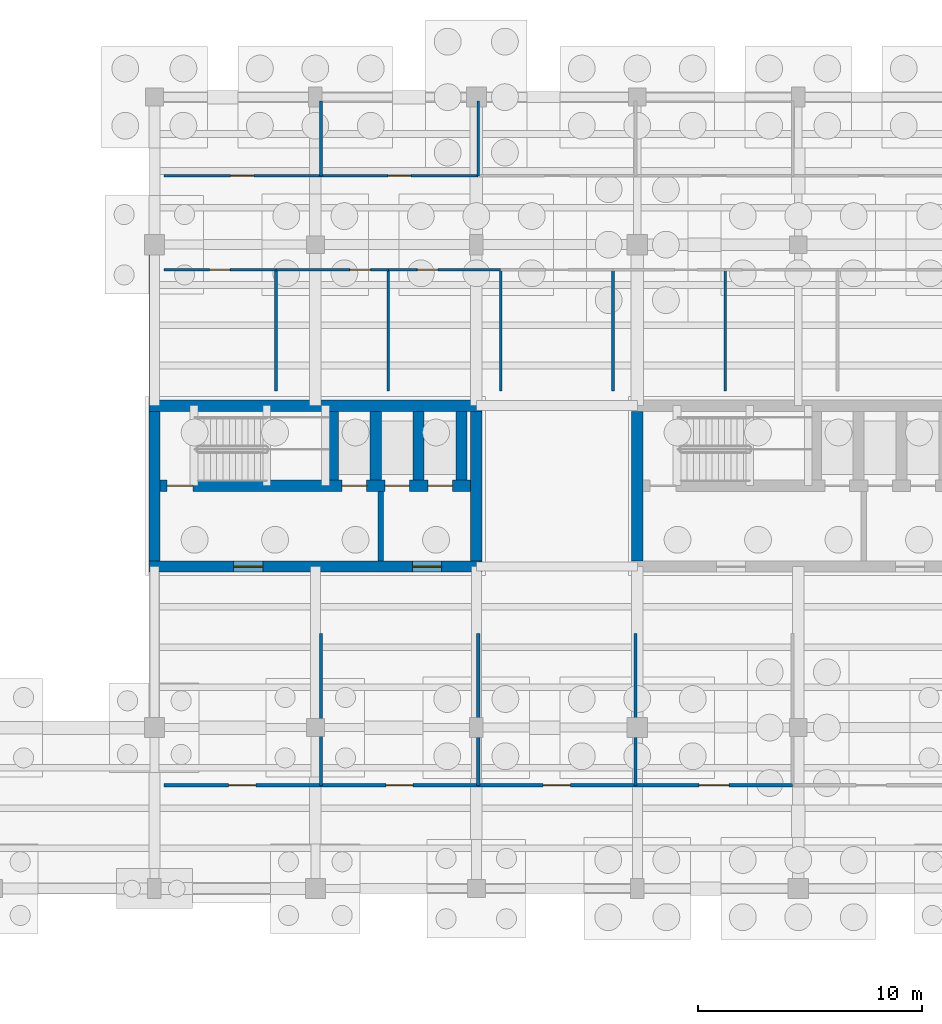
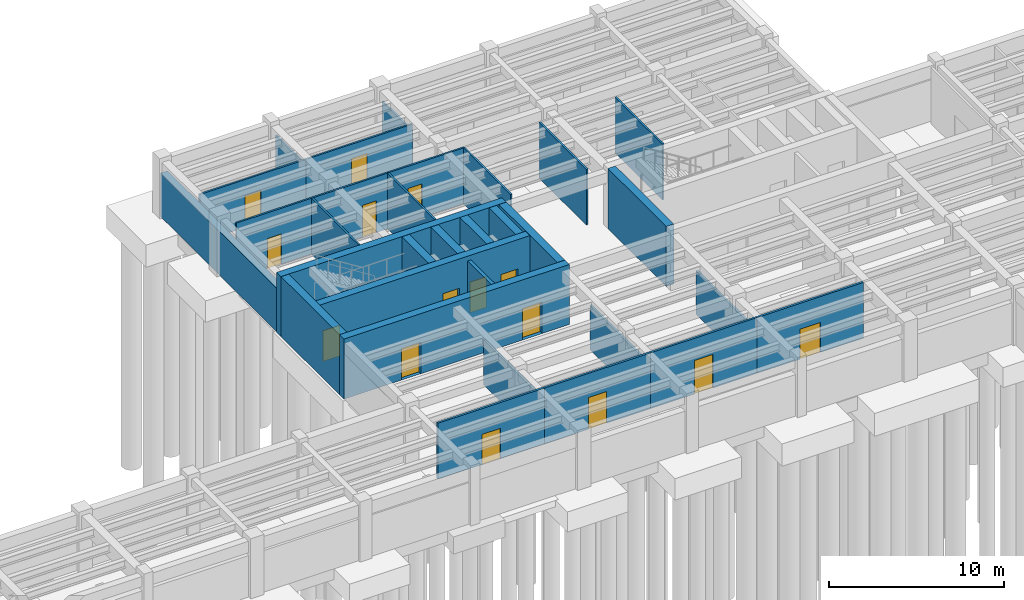
# One storey, part 13 of 22: 31 walls, 15 doors, 15 openings.
"""IFC4 building model written with IfcOpenShell, lengths in metres."""

from ifc_helpers import new_model, si_unit, direction, frame, frame_2d, origin, place, context, subcontext, project, spatial, rectangle, extrude, material, layer, layer_set, type_object, element, fill, save


model = new_model("IFC4")

# Units and contexts
model_context = context("Model", 3, precision=1e-05, world=origin(), true_north=direction((0.0, 1.0)))
body_context = subcontext(model_context, "Body", "Model", "MODEL_VIEW")
ifc_project = project(units=[si_unit("LENGTHUNIT", "METRE"), si_unit("AREAUNIT", "SQUARE_METRE"), si_unit("VOLUMEUNIT", "CUBIC_METRE"), si_unit("PLANEANGLEUNIT", "RADIAN"), si_unit("MASSUNIT", "GRAM", prefix="KILO")], contexts=[model_context])

# Site, building, storey
site_placement = place(None, origin())
site = spatial("IfcSite", under=ifc_project, at=site_placement, CompositionType="ELEMENT")
building_placement = place(site_placement, origin())
building = spatial("IfcBuilding", under=site, at=building_placement, Name="Mithqara Police Headquarters", CompositionType="ELEMENT")
storey_placement = place(building_placement, frame((0.0, 0.0, -8.39990234375)))
storey = spatial("IfcBuildingStorey", under=building, at=storey_placement, Name="B2", CompositionType="ELEMENT", Elevation=-8.39990234375)

# Wall
ifc_material_1 = material(Name="Concrete C40/50", Category="concrete")
ifc_layer_1 = layer(ifc_material_1, 0.239990234375, Name="Concrete C40/50")
ifc_layer_set_1 = layer_set([ifc_layer_1], Name="Concrete C40/50")
wall_type_1 = type_object("IfcWallType", Name="CORE LOBBY WALL 240", PredefinedType="SOLIDWALL", material=ifc_layer_set_1)
wall_1_placement = place(storey_placement, frame((118.72998046875, 93.25, 0.0), z_axis=(0.0, 0.0, 1.0), x_axis=(0.0, 1.0, 0.0)))
element("IfcWall", 1, at=wall_1_placement, inside=storey, type_object=wall_type_1, Name="Core C1 Command West Firefighting Lobby Separation Wall B2", PredefinedType="SOLIDWALL", context=body_context, shape_type="SweptSolid", body=[
    extrude(rectangle(XDim=3.1201171875, YDim=0.239990234375, at=frame_2d((1.56005859375, 0.0))), origin(), (0.0, 0.0, 1.0), 3.869873046875),
])

# Wall, opening, door
ifc_material_2 = material(Name="Gypsum acoustic stud partition", Category="gypsum")
ifc_layer_2 = layer(ifc_material_2, 0.1201171875, Name="Gypsum acoustic stud partition")
ifc_layer_set_2 = layer_set([ifc_layer_2], Name="Gypsum acoustic stud partition")
wall_type_2 = type_object("IfcWallType", Name="PART WALL 120", PredefinedType="PARTITIONING", material=ifc_layer_set_2)
wall_2_placement = place(storey_placement, frame((109.02001953125, 106.280029296875, 0.0), z_axis=(0.0, 0.0, 1.0), x_axis=(1.0, 0.0, 0.0)))
wall_2 = element("IfcWall", 2, at=wall_2_placement, inside=storey, type_object=wall_type_2, Name="B2 Corridor Wall Chiller Plant Room", PredefinedType="PARTITIONING", context=body_context, shape_type="SweptSolid", body=[
    extrude(rectangle(XDim=5.02294921875, YDim=0.1201171875, at=frame_2d((2.511474609375, 0.0))), origin(), (0.0, 0.0, 1.0), 3.89990234375),
])
opening_1_placement = place(wall_2_placement, frame((2.051513671875, 0.0, 0.0)))
opening_1 = element("IfcOpeningElement", 3, at=opening_1_placement, cuts=wall_2, Name="Opening D-01", PredefinedType="OPENING", context=body_context, shape_type="SweptSolid", body=[
    extrude(rectangle(XDim=0.919921875, YDim=2.10009765625, at=frame_2d((0.4599609375, 1.050048828125))), frame((0.0, 0.070068359375, 0.0), z_axis=(0.0, -1.0, 0.0), x_axis=(1.0, 0.0, 0.0)), (0.0, 0.0, 1.0), 0.14013671875),
])
ifc_material_3 = material(Name="Acoustic solid-core timber leaf", Category="wood")
door_type_1 = type_object("IfcDoorType", Name="INT DOOR 920X2100", OperationType="NOTDEFINED", PredefinedType="DOOR", material=ifc_material_3)
door_1_placement = place(opening_1_placement, frame((0.919921875, 0.0, 0.0), z_axis=(0.0, 0.0, 1.0), x_axis=(-1.0, 0.0, 0.0)))
door_1 = element("IfcDoor", 4, at=door_1_placement, inside=storey, type_object=door_type_1, Name="Chiller Plant Room Entry Door", OperationType="SINGLE_SWING_RIGHT", OverallHeight=2.10009765625, OverallWidth=0.919921875, PredefinedType="DOOR", context=body_context, shape_type="SweptSolid", body=[
    extrude(rectangle(XDim=0.919921875, YDim=2.10009765625, at=frame_2d((0.4599609375, 1.050048828125))), frame((0.0, 0.02490234375, 0.0), z_axis=(0.0, -1.0, 0.0), x_axis=(1.0, 0.0, 0.0)), (0.0, 0.0, 1.0), 0.050048828125),
])
fill(opening_1, door_1)

# Wall
wall_3_placement = place(storey_placement, frame((114.04296875, 100.85009765625, 0.0), z_axis=(0.0, 0.0, 1.0), x_axis=(0.0, 1.0, 0.0)))
element("IfcWall", 5, at=wall_3_placement, inside=storey, type_object=wall_type_2, Name="B2 Room Partition Chiller Plant Room", PredefinedType="PARTITIONING", context=body_context, shape_type="SweptSolid", body=[
    extrude(rectangle(XDim=5.429931640625, YDim=0.1201171875, at=frame_2d((2.71484375, 0.0))), origin(), (0.0, 0.0, 1.0), 3.89990234375),
])

# Wall, opening, door
wall_4_placement = place(storey_placement, frame((114.04296875, 106.280029296875, 0.0), z_axis=(0.0, 0.0, 1.0), x_axis=(1.0, 0.0, 0.0)))
wall_4 = element("IfcWall", 6, at=wall_4_placement, inside=storey, type_object=wall_type_2, Name="B2 Corridor Wall Cooling Pump Hall", PredefinedType="PARTITIONING", context=body_context, shape_type="SweptSolid", body=[
    extrude(rectangle(XDim=5.02294921875, YDim=0.1201171875, at=frame_2d((2.511474609375, 0.0))), origin(), (0.0, 0.0, 1.0), 3.89990234375),
])
opening_2_placement = place(wall_4_placement, frame((3.30712890625, 0.0, 0.0)))
opening_2 = element("IfcOpeningElement", 7, at=opening_2_placement, cuts=wall_4, Name="Opening D-02", PredefinedType="OPENING", context=body_context, shape_type="SweptSolid", body=[
    extrude(rectangle(XDim=0.919921875, YDim=2.219970703125, at=frame_2d((0.4599609375, 1.10986328125))), frame((0.0, 0.070068359375, 0.0), z_axis=(0.0, -1.0, 0.0), x_axis=(1.0, 0.0, 0.0)), (0.0, 0.0, 1.0), 0.14013671875),
])
door_type_2 = type_object("IfcDoorType", Name="INT DOOR 920X2220", OperationType="NOTDEFINED", PredefinedType="DOOR", material=ifc_material_3)
door_2_placement = place(opening_2_placement, frame((0.919921875, 0.0, 0.0), z_axis=(0.0, 0.0, 1.0), x_axis=(-1.0, 0.0, 0.0)))
door_2 = element("IfcDoor", 8, at=door_2_placement, inside=storey, type_object=door_type_2, Name="Cooling Pump Hall Entry Door", OperationType="SINGLE_SWING_LEFT", OverallHeight=2.219970703125, OverallWidth=0.919921875, PredefinedType="DOOR", context=body_context, shape_type="SweptSolid", body=[
    extrude(rectangle(XDim=0.919921875, YDim=2.219970703125, at=frame_2d((0.4599609375, 1.10986328125))), frame((0.0, 0.02490234375, 0.0), z_axis=(0.0, -1.0, 0.0), x_axis=(1.0, 0.0, 0.0)), (0.0, 0.0, 1.0), 0.050048828125),
])
fill(opening_2, door_2)

# Wall
wall_5_placement = place(storey_placement, frame((119.06591796875, 100.85009765625, 0.0), z_axis=(0.0, 0.0, 1.0), x_axis=(0.0, 1.0, 0.0)))
element("IfcWall", 9, at=wall_5_placement, inside=storey, type_object=wall_type_2, Name="B2 Room Partition Cooling Pump Hall", PredefinedType="PARTITIONING", context=body_context, shape_type="SweptSolid", body=[
    extrude(rectangle(XDim=5.429931640625, YDim=0.1201171875, at=frame_2d((2.71484375, 0.0))), origin(), (0.0, 0.0, 1.0), 3.89990234375),
])

# Wall, opening, door
wall_6_placement = place(storey_placement, frame((119.06591796875, 106.280029296875, 0.0), z_axis=(0.0, 0.0, 1.0), x_axis=(1.0, 0.0, 0.0)))
wall_6 = element("IfcWall", 10, at=wall_6_placement, inside=storey, type_object=wall_type_2, Name="B2 Corridor Wall Main LV Switchgear Room", PredefinedType="PARTITIONING", context=body_context, shape_type="SweptSolid", body=[
    extrude(rectangle(XDim=5.023193359375, YDim=0.1201171875, at=frame_2d((2.51171875, 0.0))), origin(), (0.0, 0.0, 1.0), 3.89990234375),
])
opening_3_placement = place(wall_6_placement, frame((1.298095703125, 0.0, 0.0)))
opening_3 = element("IfcOpeningElement", 11, at=opening_3_placement, cuts=wall_6, Name="Opening D-03", PredefinedType="OPENING", context=body_context, shape_type="SweptSolid", body=[
    extrude(rectangle(XDim=0.919921875, YDim=2.35009765625, at=frame_2d((0.4599609375, 1.175048828125))), frame((0.0, 0.070068359375, 0.0), z_axis=(0.0, -1.0, 0.0), x_axis=(1.0, 0.0, 0.0)), (0.0, 0.0, 1.0), 0.14013671875),
])
door_type_3 = type_object("IfcDoorType", Name="INT DOOR 920X2350", OperationType="NOTDEFINED", PredefinedType="DOOR", material=ifc_material_3)
door_3_placement = place(opening_3_placement, frame((0.919921875, 0.0, 0.0), z_axis=(0.0, 0.0, 1.0), x_axis=(-1.0, 0.0, 0.0)))
door_3 = element("IfcDoor", 12, at=door_3_placement, inside=storey, type_object=door_type_3, Name="Main LV Switchgear Room Entry Door", OperationType="SINGLE_SWING_RIGHT", OverallHeight=2.35009765625, OverallWidth=0.919921875, PredefinedType="DOOR", context=body_context, shape_type="SweptSolid", body=[
    extrude(rectangle(XDim=0.919921875, YDim=2.35009765625, at=frame_2d((0.4599609375, 1.175048828125))), frame((0.0, 0.02490234375, 0.0), z_axis=(0.0, -1.0, 0.0), x_axis=(1.0, 0.0, 0.0)), (0.0, 0.0, 1.0), 0.050048828125),
])
fill(opening_3, door_3)

# Walls
for number, where, z_axis, x_axis, name in (
    (13, (124.089111328125, 100.85009765625, 0.0), (0.0, 0.0, 1.0), (0.0, 1.0, 0.0), "B2 Room Partition Main LV Switchgear Room"),
    (14, (129.111083984375, 100.85009765625, 0.0), (0.0, 0.0, 1.0), (0.0, 1.0, 0.0), "B2 Room Partition Standby UPS Battery Room"),
    (15, (134.134033203125, 100.85009765625, 0.0), (0.0, 0.0, 1.0), (0.0, 1.0, 0.0), "B2 Room Partition Chiller Plant Room"),
):
    element("IfcWall", number, at=place(storey_placement, frame(where, z_axis=z_axis, x_axis=x_axis)), inside=storey, type_object=wall_type_2, Name=name, PredefinedType="PARTITIONING", context=body_context, shape_type="SweptSolid", body=[
        extrude(rectangle(XDim=5.429931640625, YDim=0.1201171875, at=frame_2d((2.71484375, 0.0))), origin(), (0.0, 0.0, 1.0), 3.89990234375),
    ])

# Wall, opening, door
wall_7_placement = place(storey_placement, frame((109.02001953125, 110.47998046875, 0.0), z_axis=(0.0, 0.0, 1.0), x_axis=(1.0, 0.0, 0.0)))
wall_7 = element("IfcWall", 16, at=wall_7_placement, inside=storey, type_object=wall_type_2, Name="B2 Corridor Wall Standby UPS Battery Room", PredefinedType="PARTITIONING", context=body_context, shape_type="SweptSolid", body=[
    extrude(rectangle(XDim=7.031982421875, YDim=0.1201171875, at=frame_2d((3.51611328125, 0.0))), origin(), (0.0, 0.0, 1.0), 3.349853515625),
])
opening_4_placement = place(wall_7_placement, frame((2.99609375, 0.0, 0.0)))
opening_4 = element("IfcOpeningElement", 17, at=opening_4_placement, cuts=wall_7, Name="Opening D-08", PredefinedType="OPENING", context=body_context, shape_type="SweptSolid", body=[
    extrude(rectangle(XDim=1.0400390625, YDim=2.219970703125, at=frame_2d((0.52001953125, 1.10986328125))), frame((0.0, 0.070068359375, 0.0), z_axis=(0.0, -1.0, 0.0), x_axis=(1.0, 0.0, 0.0)), (0.0, 0.0, 1.0), 0.14013671875),
])
door_type_4 = type_object("IfcDoorType", Name="INT DOOR 1040X2220", OperationType="NOTDEFINED", PredefinedType="DOOR", material=ifc_material_3)
door_4_placement = place(opening_4_placement, origin())
door_4 = element("IfcDoor", 18, at=door_4_placement, inside=storey, type_object=door_type_4, Name="Standby UPS Battery Room Entry Door", OperationType="SINGLE_SWING_LEFT", OverallHeight=2.219970703125, OverallWidth=1.0400390625, PredefinedType="DOOR", context=body_context, shape_type="SweptSolid", body=[
    extrude(rectangle(XDim=1.0400390625, YDim=2.219970703125, at=frame_2d((0.52001953125, 1.10986328125))), frame((0.0, 0.02490234375, 0.0), z_axis=(0.0, -1.0, 0.0), x_axis=(1.0, 0.0, 0.0)), (0.0, 0.0, 1.0), 0.050048828125),
])
fill(opening_4, door_4)

# Wall
wall_8_placement = place(storey_placement, frame((116.052001953125, 110.47998046875, 0.0), z_axis=(0.0, 0.0, 1.0), x_axis=(0.0, 1.0, 0.0)))
element("IfcWall", 19, at=wall_8_placement, inside=storey, type_object=wall_type_2, Name="B2 Room Partition Standby UPS Battery Room", PredefinedType="PARTITIONING", context=body_context, shape_type="SweptSolid", body=[
    extrude(rectangle(XDim=3.340087890625, YDim=0.1201171875, at=frame_2d((1.669921875, 0.0))), origin(), (0.0, 0.0, 1.0), 3.0),
])

# Wall, opening, door
wall_9_placement = place(storey_placement, frame((116.052001953125, 110.47998046875, 0.0), z_axis=(0.0, 0.0, 1.0), x_axis=(1.0, 0.0, 0.0)))
wall_9 = element("IfcWall", 20, at=wall_9_placement, inside=storey, type_object=wall_type_2, Name="B2 Corridor Wall Chiller Plant Room", PredefinedType="PARTITIONING", context=body_context, shape_type="SweptSolid", body=[
    extrude(rectangle(XDim=7.031982421875, YDim=0.1201171875, at=frame_2d((3.51611328125, 0.0))), origin(), (0.0, 0.0, 1.0), 3.349853515625),
])
opening_5_placement = place(wall_9_placement, frame((2.99609375, 0.0, 0.0)))
opening_5 = element("IfcOpeningElement", 21, at=opening_5_placement, cuts=wall_9, Name="Opening D-09", PredefinedType="OPENING", context=body_context, shape_type="SweptSolid", body=[
    extrude(rectangle(XDim=1.0400390625, YDim=2.35009765625, at=frame_2d((0.52001953125, 1.175048828125))), frame((0.0, 0.070068359375, 0.0), z_axis=(0.0, -1.0, 0.0), x_axis=(1.0, 0.0, 0.0)), (0.0, 0.0, 1.0), 0.14013671875),
])
door_type_5 = type_object("IfcDoorType", Name="INT DOOR 1040X2350", OperationType="NOTDEFINED", PredefinedType="DOOR", material=ifc_material_3)
door_5_placement = place(opening_5_placement, origin())
door_5 = element("IfcDoor", 22, at=door_5_placement, inside=storey, type_object=door_type_5, Name="Chiller Plant Room Entry Door", OperationType="SINGLE_SWING_RIGHT", OverallHeight=2.35009765625, OverallWidth=1.0400390625, PredefinedType="DOOR", context=body_context, shape_type="SweptSolid", body=[
    extrude(rectangle(XDim=1.0400390625, YDim=2.35009765625, at=frame_2d((0.52001953125, 1.175048828125))), frame((0.0, 0.02490234375, 0.0), z_axis=(0.0, -1.0, 0.0), x_axis=(1.0, 0.0, 0.0)), (0.0, 0.0, 1.0), 0.050048828125),
])
fill(opening_5, door_5)

# Wall
wall_10_placement = place(storey_placement, frame((123.083984375, 110.47998046875, 0.0), z_axis=(0.0, 0.0, 1.0), x_axis=(0.0, 1.0, 0.0)))
element("IfcWall", 23, at=wall_10_placement, inside=storey, type_object=wall_type_2, Name="B2 Room Partition Chiller Plant Room", PredefinedType="PARTITIONING", context=body_context, shape_type="SweptSolid", body=[
    extrude(rectangle(XDim=3.340087890625, YDim=0.1201171875, at=frame_2d((1.669921875, 0.0))), origin(), (0.0, 0.0, 1.0), 2.89990234375),
])

# Wall, opening, door
ifc_layer_3 = layer(ifc_material_2, 0.139892578125, Name="Gypsum acoustic stud partition")
ifc_layer_set_3 = layer_set([ifc_layer_3], Name="Gypsum acoustic stud partition")
wall_type_3 = type_object("IfcWallType", Name="PART WALL 140", PredefinedType="PARTITIONING", material=ifc_layer_set_3)
wall_11_placement = place(storey_placement, frame((109.02001953125, 83.219970703125, 0.0), z_axis=(0.0, 0.0, 1.0), x_axis=(1.0, 0.0, 0.0)))
wall_11 = element("IfcWall", 24, at=wall_11_placement, inside=storey, type_object=wall_type_3, Name="B2 Corridor Wall Chiller Plant Room", PredefinedType="PARTITIONING", context=body_context, shape_type="SweptSolid", body=[
    extrude(rectangle(XDim=7.031982421875, YDim=0.139892578125, at=frame_2d((3.51611328125, 0.0))), origin(), (0.0, 0.0, 1.0), 3.89990234375),
])
opening_6_placement = place(wall_11_placement, frame((2.906005859375, 0.0, 0.0)))
opening_6 = element("IfcOpeningElement", 25, at=opening_6_placement, cuts=wall_11, Name="Opening D-13", PredefinedType="OPENING", context=body_context, shape_type="SweptSolid", body=[
    extrude(rectangle(XDim=1.219970703125, YDim=2.10009765625, at=frame_2d((0.60986328125, 1.050048828125))), frame((0.0, 0.080078125, 0.0), z_axis=(0.0, -1.0, 0.0), x_axis=(1.0, 0.0, 0.0)), (0.0, 0.0, 1.0), 0.159912109375),
])
door_type_6 = type_object("IfcDoorType", Name="INT DOOR 1220X2100", OperationType="NOTDEFINED", PredefinedType="DOOR", material=ifc_material_3)
door_6_placement = place(opening_6_placement, origin())
door_6 = element("IfcDoor", 26, at=door_6_placement, inside=storey, type_object=door_type_6, Name="Chiller Plant Room Entry Door", OperationType="SINGLE_SWING_RIGHT", OverallHeight=2.10009765625, OverallWidth=1.219970703125, PredefinedType="DOOR", context=body_context, shape_type="SweptSolid", body=[
    extrude(rectangle(XDim=1.219970703125, YDim=2.10009765625, at=frame_2d((0.60986328125, 1.050048828125))), frame((0.0, 0.02490234375, 0.0), z_axis=(0.0, -1.0, 0.0), x_axis=(1.0, 0.0, 0.0)), (0.0, 0.0, 1.0), 0.050048828125),
])
fill(opening_6, door_6)

# Wall
wall_12_placement = place(storey_placement, frame((116.052001953125, 83.219970703125, 0.0), z_axis=(0.0, 0.0, 1.0), x_axis=(0.0, 1.0, 0.0)))
element("IfcWall", 27, at=wall_12_placement, inside=storey, type_object=wall_type_3, Name="B2 Room Partition Chiller Plant Room", PredefinedType="PARTITIONING", context=body_context, shape_type="SweptSolid", body=[
    extrude(rectangle(XDim=6.780029296875, YDim=0.139892578125, at=frame_2d((3.39013671875, 0.0))), origin(), (0.0, 0.0, 1.0), 3.14990234375),
])

# Wall, opening, door
wall_13_placement = place(storey_placement, frame((116.052001953125, 83.219970703125, 0.0), z_axis=(0.0, 0.0, 1.0), x_axis=(1.0, 0.0, 0.0)))
wall_13 = element("IfcWall", 28, at=wall_13_placement, inside=storey, type_object=wall_type_3, Name="B2 Corridor Wall Cooling Pump Hall", PredefinedType="PARTITIONING", context=body_context, shape_type="SweptSolid", body=[
    extrude(rectangle(XDim=7.031982421875, YDim=0.139892578125, at=frame_2d((3.51611328125, 0.0))), origin(), (0.0, 0.0, 1.0), 3.89990234375),
])
opening_7_placement = place(wall_13_placement, frame((2.906005859375, 0.0, 0.0)))
opening_7 = element("IfcOpeningElement", 29, at=opening_7_placement, cuts=wall_13, Name="Opening D-14", PredefinedType="OPENING", context=body_context, shape_type="SweptSolid", body=[
    extrude(rectangle(XDim=1.219970703125, YDim=2.219970703125, at=frame_2d((0.60986328125, 1.10986328125))), frame((0.0, 0.080078125, 0.0), z_axis=(0.0, -1.0, 0.0), x_axis=(1.0, 0.0, 0.0)), (0.0, 0.0, 1.0), 0.159912109375),
])
door_type_7 = type_object("IfcDoorType", Name="INT DOOR 1220X2220", OperationType="NOTDEFINED", PredefinedType="DOOR", material=ifc_material_3)
door_7_placement = place(opening_7_placement, origin())
door_7 = element("IfcDoor", 30, at=door_7_placement, inside=storey, type_object=door_type_7, Name="Cooling Pump Hall Entry Door", OperationType="SINGLE_SWING_LEFT", OverallHeight=2.219970703125, OverallWidth=1.219970703125, PredefinedType="DOOR", context=body_context, shape_type="SweptSolid", body=[
    extrude(rectangle(XDim=1.219970703125, YDim=2.219970703125, at=frame_2d((0.60986328125, 1.10986328125))), frame((0.0, 0.02490234375, 0.0), z_axis=(0.0, -1.0, 0.0), x_axis=(1.0, 0.0, 0.0)), (0.0, 0.0, 1.0), 0.050048828125),
])
fill(opening_7, door_7)

# Wall
wall_14_placement = place(storey_placement, frame((123.083984375, 83.219970703125, 0.0), z_axis=(0.0, 0.0, 1.0), x_axis=(0.0, 1.0, 0.0)))
element("IfcWall", 31, at=wall_14_placement, inside=storey, type_object=wall_type_3, Name="B2 Room Partition Cooling Pump Hall", PredefinedType="PARTITIONING", context=body_context, shape_type="SweptSolid", body=[
    extrude(rectangle(XDim=6.780029296875, YDim=0.139892578125, at=frame_2d((3.39013671875, 0.0))), origin(), (0.0, 0.0, 1.0), 3.099853515625),
])

# Wall, opening, door
wall_15_placement = place(storey_placement, frame((123.083984375, 83.219970703125, 0.0), z_axis=(0.0, 0.0, 1.0), x_axis=(1.0, 0.0, 0.0)))
wall_15 = element("IfcWall", 32, at=wall_15_placement, inside=storey, type_object=wall_type_3, Name="B2 Corridor Wall Main LV Switchgear Room", PredefinedType="PARTITIONING", context=body_context, shape_type="SweptSolid", body=[
    extrude(rectangle(XDim=7.031982421875, YDim=0.139892578125, at=frame_2d((3.51611328125, 0.0))), origin(), (0.0, 0.0, 1.0), 3.89990234375),
])
opening_8_placement = place(wall_15_placement, frame((2.906005859375, 0.0, 0.0)))
opening_8 = element("IfcOpeningElement", 33, at=opening_8_placement, cuts=wall_15, Name="Opening D-15", PredefinedType="OPENING", context=body_context, shape_type="SweptSolid", body=[
    extrude(rectangle(XDim=1.219970703125, YDim=2.35009765625, at=frame_2d((0.60986328125, 1.175048828125))), frame((0.0, 0.080078125, 0.0), z_axis=(0.0, -1.0, 0.0), x_axis=(1.0, 0.0, 0.0)), (0.0, 0.0, 1.0), 0.159912109375),
])
door_type_8 = type_object("IfcDoorType", Name="INT DOOR 1220X2350", OperationType="NOTDEFINED", PredefinedType="DOOR", material=ifc_material_3)
door_8_placement = place(opening_8_placement, origin())
door_8 = element("IfcDoor", 34, at=door_8_placement, inside=storey, type_object=door_type_8, Name="Main LV Switchgear Room Entry Door", OperationType="SINGLE_SWING_RIGHT", OverallHeight=2.35009765625, OverallWidth=1.219970703125, PredefinedType="DOOR", context=body_context, shape_type="SweptSolid", body=[
    extrude(rectangle(XDim=1.219970703125, YDim=2.35009765625, at=frame_2d((0.60986328125, 1.175048828125))), frame((0.0, 0.02490234375, 0.0), z_axis=(0.0, -1.0, 0.0), x_axis=(1.0, 0.0, 0.0)), (0.0, 0.0, 1.0), 0.050048828125),
])
fill(opening_8, door_8)

# Wall
wall_16_placement = place(storey_placement, frame((130.115966796875, 83.219970703125, 0.0), z_axis=(0.0, 0.0, 1.0), x_axis=(0.0, 1.0, 0.0)))
element("IfcWall", 35, at=wall_16_placement, inside=storey, type_object=wall_type_3, Name="B2 Room Partition Main LV Switchgear Room", PredefinedType="PARTITIONING", context=body_context, shape_type="SweptSolid", body=[
    extrude(rectangle(XDim=6.780029296875, YDim=0.139892578125, at=frame_2d((3.39013671875, 0.0))), origin(), (0.0, 0.0, 1.0), 3.0498046875),
])

# Wall, opening, door
wall_17_placement = place(storey_placement, frame((130.115966796875, 83.219970703125, 0.0), z_axis=(0.0, 0.0, 1.0), x_axis=(1.0, 0.0, 0.0)))
wall_17 = element("IfcWall", 36, at=wall_17_placement, inside=storey, type_object=wall_type_3, Name="B2 Corridor Wall Standby UPS Battery Room", PredefinedType="PARTITIONING", context=body_context, shape_type="SweptSolid", body=[
    extrude(rectangle(XDim=7.031982421875, YDim=0.139892578125, at=frame_2d((3.51611328125, 0.0))), origin(), (0.0, 0.0, 1.0), 3.89990234375),
])
opening_9_placement = place(wall_17_placement, frame((2.8359375, 0.0, 0.0)))
opening_9 = element("IfcOpeningElement", 37, at=opening_9_placement, cuts=wall_17, Name="Opening D-16", PredefinedType="OPENING", context=body_context, shape_type="SweptSolid", body=[
    extrude(rectangle(XDim=1.360107421875, YDim=2.10009765625, at=frame_2d((0.68017578125, 1.050048828125))), frame((0.0, 0.080078125, 0.0), z_axis=(0.0, -1.0, 0.0), x_axis=(1.0, 0.0, 0.0)), (0.0, 0.0, 1.0), 0.159912109375),
])
ifc_material_4 = material(Name="Bronze anodised aluminium 6063-T6", Category="aluminium")
door_type_9 = type_object("IfcDoorType", Name="INT DOOR 1360X2100", OperationType="NOTDEFINED", PredefinedType="DOOR", material=ifc_material_4)
door_9_placement = place(opening_9_placement, origin())
door_9 = element("IfcDoor", 38, at=door_9_placement, inside=storey, type_object=door_type_9, Name="Standby UPS Battery Room Entry Door", OperationType="SINGLE_SWING_LEFT", OverallHeight=2.10009765625, OverallWidth=1.360107421875, PredefinedType="DOOR", context=body_context, shape_type="SweptSolid", body=[
    extrude(rectangle(XDim=1.360107421875, YDim=2.10009765625, at=frame_2d((0.68017578125, 1.050048828125))), frame((0.0, 0.02490234375, 0.0), z_axis=(0.0, -1.0, 0.0), x_axis=(1.0, 0.0, 0.0)), (0.0, 0.0, 1.0), 0.050048828125),
])
fill(opening_9, door_9)

# Walls
ifc_layer_4 = layer(ifc_material_1, 0.4599609375, Name="Concrete C40/50")
ifc_layer_set_4 = layer_set([ifc_layer_4], Name="Concrete C40/50")
wall_type_4 = type_object("IfcWallType", Name="RETAINING WALL 460", PredefinedType="USERDEFINED", material=ifc_layer_set_4)
wall_18_placement = place(storey_placement, frame((108.60009765625, 100.429931640625, 0.0), z_axis=(0.0, 0.0, 1.0), x_axis=(0.0, 1.0, 0.0)))
element("IfcWall", 39, at=wall_18_placement, inside=storey, type_object=wall_type_4, Name="B2 Perimeter Retaining Wall 6", ObjectType="RETAININGWALL", PredefinedType="USERDEFINED", context=body_context, shape_type="SweptSolid", body=[
    extrude(rectangle(XDim=13.35009765625, YDim=0.4599609375, at=frame_2d((6.675048828125, 0.0))), origin(), (0.0, 0.0, 1.0), 3.0498046875),
])
ifc_material_5 = material(Name="Concrete C50/60", Category="concrete")
ifc_layer_5 = layer(ifc_material_5, 0.5, Name="Concrete C50/60")
ifc_layer_set_5 = layer_set([ifc_layer_5], Name="Concrete C50/60")
wall_type_5 = type_object("IfcWallType", Name="SHEAR WALL 500", PredefinedType="SHEAR", material=ifc_layer_set_5)
wall_19_placement = place(storey_placement, frame((108.35009765625, 100.199951171875, 0.0), z_axis=(0.0, 0.0, 1.0), x_axis=(1.0, 0.0, 0.0)))
element("IfcWall", 40, at=wall_19_placement, inside=storey, type_object=wall_type_5, Name="Core C1 Command West Shear Wall N", PredefinedType="SHEAR", context=body_context, shape_type="SweptSolid", body=[
    extrude(rectangle(XDim=14.89990234375, YDim=0.5, at=frame_2d((7.449951171875, 0.0))), origin(), (0.0, 0.0, 1.0), 4.199951171875),
])

# Wall, openings, doors
wall_20_placement = place(storey_placement, frame((108.35009765625, 93.0, 0.0), z_axis=(0.0, 0.0, 1.0), x_axis=(1.0, 0.0, 0.0)))
wall_20 = element("IfcWall", 41, at=wall_20_placement, inside=storey, type_object=wall_type_5, Name="Core C1 Command West Shear Wall S", PredefinedType="SHEAR", context=body_context, shape_type="SweptSolid", body=[
    extrude(rectangle(XDim=14.89990234375, YDim=0.5, at=frame_2d((7.449951171875, 0.0))), origin(), (0.0, 0.0, 1.0), 4.199951171875),
])
opening_10_placement = place(wall_20_placement, frame((3.800048828125, 0.0, 0.0)))
opening_10 = element("IfcOpeningElement", 42, at=opening_10_placement, cuts=wall_20, Name="Opening FD-02", PredefinedType="OPENING", context=body_context, shape_type="SweptSolid", body=[
    extrude(rectangle(XDim=1.300048828125, YDim=2.199951171875, at=frame_2d((0.64990234375, 1.10009765625))), frame((0.0, 0.260009765625, 0.0), z_axis=(0.0, -1.0, 0.0), x_axis=(1.0, 0.0, 0.0)), (0.0, 0.0, 1.0), 0.52001953125),
])
opening_11_placement = place(wall_20_placement, frame((11.800048828125, 0.0, 0.0)))
opening_11 = element("IfcOpeningElement", 43, at=opening_11_placement, cuts=wall_20, Name="Opening FD-02", PredefinedType="OPENING", context=body_context, shape_type="SweptSolid", body=[
    extrude(rectangle(XDim=1.300048828125, YDim=2.199951171875, at=frame_2d((0.64990234375, 1.10009765625))), frame((0.0, 0.260009765625, 0.0), z_axis=(0.0, -1.0, 0.0), x_axis=(1.0, 0.0, 0.0)), (0.0, 0.0, 1.0), 0.52001953125),
])
ifc_material_6 = material(Name="Steel S355JR", Category="steel")
door_type_10 = type_object("IfcDoorType", Name="CORE DOOR LOBBY 1300X2200", OperationType="NOTDEFINED", PredefinedType="DOOR", material=ifc_material_6)
door_10_placement = place(opening_10_placement, frame((1.300048828125, 0.0, 0.0), z_axis=(0.0, 0.0, 1.0), x_axis=(-1.0, 0.0, 0.0)))
door_10 = element("IfcDoor", 44, at=door_10_placement, inside=storey, type_object=door_type_10, Name="Core C1 Command West FF Lobby Fire Door B2", OperationType="SINGLE_SWING_LEFT", OverallHeight=2.199951171875, OverallWidth=1.300048828125, PredefinedType="DOOR", context=body_context, shape_type="SweptSolid", body=[
    extrude(rectangle(XDim=1.300048828125, YDim=2.199951171875, at=frame_2d((0.64990234375, 1.10009765625))), frame((0.0, 0.02490234375, 0.0), z_axis=(0.0, -1.0, 0.0), x_axis=(1.0, 0.0, 0.0)), (0.0, 0.0, 1.0), 0.050048828125),
])
fill(opening_10, door_10)
door_11_placement = place(opening_11_placement, frame((1.300048828125, 0.0, 0.0), z_axis=(0.0, 0.0, 1.0), x_axis=(-1.0, 0.0, 0.0)))
door_11 = element("IfcDoor", 45, at=door_11_placement, inside=storey, type_object=door_type_10, Name="Core C1 Command West PA Lobby Fire Door B2", OperationType="SINGLE_SWING_RIGHT", OverallHeight=2.199951171875, OverallWidth=1.300048828125, PredefinedType="DOOR", context=body_context, shape_type="SweptSolid", body=[
    extrude(rectangle(XDim=1.300048828125, YDim=2.199951171875, at=frame_2d((0.64990234375, 1.10009765625))), frame((0.0, 0.02490234375, 0.0), z_axis=(0.0, -1.0, 0.0), x_axis=(1.0, 0.0, 0.0)), (0.0, 0.0, 1.0), 0.050048828125),
])
fill(opening_11, door_11)

# Walls
for number, where, z_axis, x_axis, name in (
    (46, (108.60009765625, 93.260009765625, 0.0), (0.0, 0.0, 1.0), (0.0, 1.0, 0.0), "Core C1 Command West Shear Wall W"),
    (47, (123.0, 93.260009765625, 0.0), (0.0, 0.0, 1.0), (0.0, 1.0, 0.0), "Core C1 Command West Shear Wall E"),
):
    element("IfcWall", number, at=place(storey_placement, frame(where, z_axis=z_axis, x_axis=x_axis)), inside=storey, type_object=wall_type_5, Name=name, PredefinedType="SHEAR", context=body_context, shape_type="SweptSolid", body=[
        extrude(rectangle(XDim=6.679931640625, YDim=0.5, at=frame_2d((3.33984375, 0.0))), origin(), (0.0, 0.0, 1.0), 4.199951171875),
    ])

# Wall, openings, doors
wall_21_placement = place(storey_placement, frame((108.860107421875, 96.6201171875, 0.0), z_axis=(0.0, 0.0, 1.0), x_axis=(1.0, 0.0, 0.0)))
wall_21 = element("IfcWall", 48, at=wall_21_placement, inside=storey, type_object=wall_type_5, Name="Core C1 Command West Shear Wall M", PredefinedType="SHEAR", context=body_context, shape_type="SweptSolid", body=[
    extrude(rectangle(XDim=13.8798828125, YDim=0.5, at=frame_2d((6.93994140625, 0.0))), origin(), (0.0, 0.0, 1.0), 4.199951171875),
])
opening_12_placement = place(wall_21_placement, frame((8.1298828125, 0.0, 0.0)))
opening_12 = element("IfcOpeningElement", 49, at=opening_12_placement, cuts=wall_21, Name="Opening LD-01", PredefinedType="OPENING", context=body_context, shape_type="SweptSolid", body=[
    extrude(rectangle(XDim=1.10009765625, YDim=2.14990234375, at=frame_2d((0.550048828125, 1.074951171875))), frame((0.0, 0.260009765625, 0.0), z_axis=(0.0, -1.0, 0.0), x_axis=(1.0, 0.0, 0.0)), (0.0, 0.0, 1.0), 0.52001953125),
])
opening_13_placement = place(wall_21_placement, frame((10.050048828125, 0.0, 0.0)))
opening_13 = element("IfcOpeningElement", 50, at=opening_13_placement, cuts=wall_21, Name="Opening LD-01", PredefinedType="OPENING", context=body_context, shape_type="SweptSolid", body=[
    extrude(rectangle(XDim=1.10009765625, YDim=2.14990234375, at=frame_2d((0.550048828125, 1.074951171875))), frame((0.0, 0.260009765625, 0.0), z_axis=(0.0, -1.0, 0.0), x_axis=(1.0, 0.0, 0.0)), (0.0, 0.0, 1.0), 0.52001953125),
])
opening_14_placement = place(wall_21_placement, frame((11.969970703125, 0.0, 0.0)))
opening_14 = element("IfcOpeningElement", 51, at=opening_14_placement, cuts=wall_21, Name="Opening LD-01", PredefinedType="OPENING", context=body_context, shape_type="SweptSolid", body=[
    extrude(rectangle(XDim=1.10009765625, YDim=2.14990234375, at=frame_2d((0.550048828125, 1.074951171875))), frame((0.0, 0.260009765625, 0.0), z_axis=(0.0, -1.0, 0.0), x_axis=(1.0, 0.0, 0.0)), (0.0, 0.0, 1.0), 0.52001953125),
])
opening_15_placement = place(wall_21_placement, frame((0.31494140625, 0.0, 0.0)))
opening_15 = element("IfcOpeningElement", 52, at=opening_15_placement, cuts=wall_21, Name="Opening FD-01", PredefinedType="OPENING", context=body_context, shape_type="SweptSolid", body=[
    extrude(rectangle(XDim=1.14990234375, YDim=2.14990234375, at=frame_2d((0.574951171875, 1.074951171875))), frame((0.0, 0.260009765625, 0.0), z_axis=(0.0, -1.0, 0.0), x_axis=(1.0, 0.0, 0.0)), (0.0, 0.0, 1.0), 0.52001953125),
])
door_type_11 = type_object("IfcDoorType", Name="CORE DOOR STAIR 1150X2150", OperationType="NOTDEFINED", PredefinedType="DOOR", material=ifc_material_6)
door_12_placement = place(opening_15_placement, origin())
door_12 = element("IfcDoor", 53, at=door_12_placement, inside=storey, type_object=door_type_11, Name="Stair ST-01 Fire Door B2", OperationType="SINGLE_SWING_LEFT", OverallHeight=2.14990234375, OverallWidth=1.14990234375, PredefinedType="DOOR", context=body_context, shape_type="SweptSolid", body=[
    extrude(rectangle(XDim=1.14990234375, YDim=2.14990234375, at=frame_2d((0.574951171875, 1.074951171875))), frame((0.0, 0.02490234375, 0.0), z_axis=(0.0, -1.0, 0.0), x_axis=(1.0, 0.0, 0.0)), (0.0, 0.0, 1.0), 0.050048828125),
])
fill(opening_15, door_12)
door_type_12 = type_object("IfcDoorType", Name="LIFT DOOR 1100X2150", OperationType="DOUBLE_DOOR_SLIDING", PredefinedType="DOOR", material=ifc_material_6)
door_13_placement = place(opening_12_placement, frame((1.10009765625, 0.0, 0.0), z_axis=(0.0, 0.0, 1.0), x_axis=(-1.0, 0.0, 0.0)))
door_13 = element("IfcDoor", 54, at=door_13_placement, inside=storey, type_object=door_type_12, Name="Lift Landing Door FL-01-B2", OperationType="DOUBLE_DOOR_SLIDING", OverallHeight=2.14990234375, OverallWidth=1.10009765625, PredefinedType="DOOR", context=body_context, shape_type="SweptSolid", body=[
    extrude(rectangle(XDim=1.10009765625, YDim=2.14990234375, at=frame_2d((0.550048828125, 1.074951171875))), frame((0.0, 0.02490234375, 0.0), z_axis=(0.0, -1.0, 0.0), x_axis=(1.0, 0.0, 0.0)), (0.0, 0.0, 1.0), 0.050048828125),
])
fill(opening_12, door_13)
door_14_placement = place(opening_13_placement, frame((1.10009765625, 0.0, 0.0), z_axis=(0.0, 0.0, 1.0), x_axis=(-1.0, 0.0, 0.0)))
door_14 = element("IfcDoor", 55, at=door_14_placement, inside=storey, type_object=door_type_12, Name="Lift Landing Door LP-01-B2", OperationType="DOUBLE_DOOR_SLIDING", OverallHeight=2.14990234375, OverallWidth=1.10009765625, PredefinedType="DOOR", context=body_context, shape_type="SweptSolid", body=[
    extrude(rectangle(XDim=1.10009765625, YDim=2.14990234375, at=frame_2d((0.550048828125, 1.074951171875))), frame((0.0, 0.02490234375, 0.0), z_axis=(0.0, -1.0, 0.0), x_axis=(1.0, 0.0, 0.0)), (0.0, 0.0, 1.0), 0.050048828125),
])
fill(opening_13, door_14)
door_15_placement = place(opening_14_placement, frame((1.10009765625, 0.0, 0.0), z_axis=(0.0, 0.0, 1.0), x_axis=(-1.0, 0.0, 0.0)))
door_15 = element("IfcDoor", 56, at=door_15_placement, inside=storey, type_object=door_type_12, Name="Lift Landing Door LP-02-B2", OperationType="DOUBLE_DOOR_SLIDING", OverallHeight=2.14990234375, OverallWidth=1.10009765625, PredefinedType="DOOR", context=body_context, shape_type="SweptSolid", body=[
    extrude(rectangle(XDim=1.10009765625, YDim=2.14990234375, at=frame_2d((0.550048828125, 1.074951171875))), frame((0.0, 0.02490234375, 0.0), z_axis=(0.0, -1.0, 0.0), x_axis=(1.0, 0.0, 0.0)), (0.0, 0.0, 1.0), 0.050048828125),
])
fill(opening_14, door_15)

# Walls
for number, where, z_axis, x_axis, name in (
    (57, (116.580078125, 96.8798828125, 0.0), (0.0, 0.0, 1.0), (0.0, 1.0, 0.0), "Core C1 Command West Shear Wall X"),
    (58, (118.5, 96.8798828125, 0.0), (0.0, 0.0, 1.0), (0.0, 1.0, 0.0), "Core C1 Command West Shear Wall L1"),
    (59, (120.419921875, 96.8798828125, 0.0), (0.0, 0.0, 1.0), (0.0, 1.0, 0.0), "Core C1 Command West Shear Wall L2"),
    (60, (122.340087890625, 96.8798828125, 0.0), (0.0, 0.0, 1.0), (0.0, 1.0, 0.0), "Core C1 Command West Shear Wall L3"),
):
    element("IfcWall", number, at=place(storey_placement, frame(where, z_axis=z_axis, x_axis=x_axis)), inside=storey, type_object=wall_type_5, Name=name, PredefinedType="SHEAR", context=body_context, shape_type="SweptSolid", body=[
        extrude(rectangle(XDim=3.06005859375, YDim=0.5, at=frame_2d((1.530029296875, 0.0))), origin(), (0.0, 0.0, 1.0), 4.199951171875),
    ])
wall_22_placement = place(storey_placement, frame((130.199951171875, 93.260009765625, 0.0), z_axis=(0.0, 0.0, 1.0), x_axis=(0.0, 1.0, 0.0)))
element("IfcWall", 61, at=wall_22_placement, inside=storey, type_object=wall_type_5, Name="Core C2 Command East Shear Wall W", PredefinedType="SHEAR", context=body_context, shape_type="SweptSolid", body=[
    extrude(rectangle(XDim=6.679931640625, YDim=0.5, at=frame_2d((3.33984375, 0.0))), origin(), (0.0, 0.0, 1.0), 4.199951171875),
])

save(model, "model.ifc")
